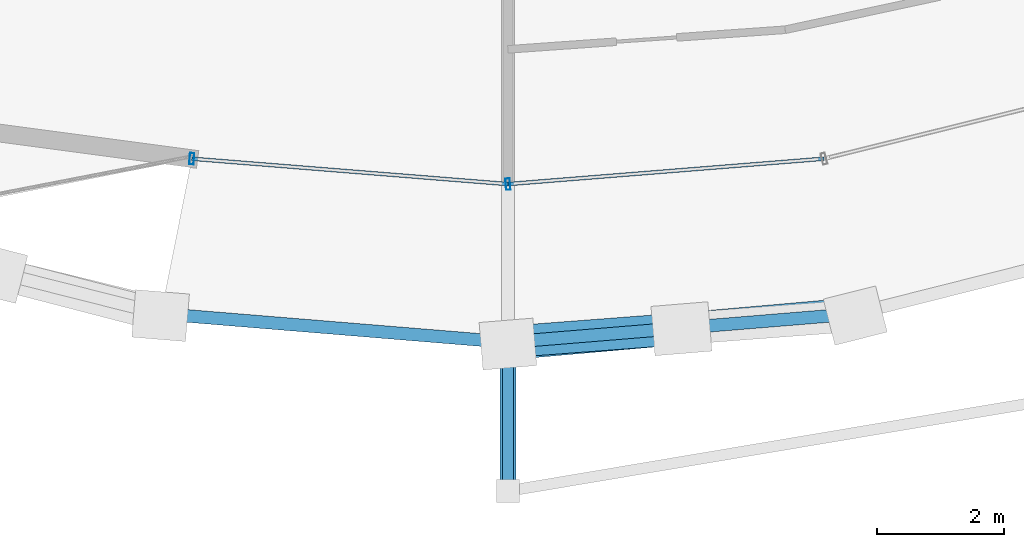
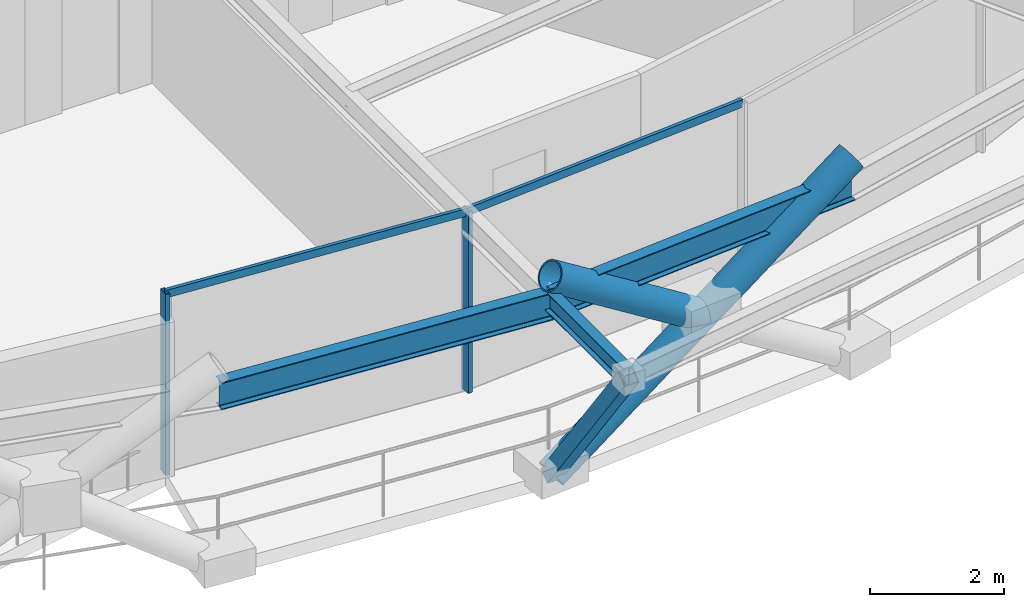
# One storey, part 2 of 20: 7 members, 3 beams, 1 element without a shape of its own.
"""IFC4 building model written with IfcOpenShell, lengths in metres."""

from ifc_helpers import new_model, si_unit, direction, frame, origin, origin_2d, place, context, subcontext, project, spatial, hollow_rectangle, hollow_circle, i_section, extrude, material, layer, layer_set, material_profile, profile_set, type_object, element, aggregate, save


model = new_model("IFC4")

# Units and contexts
model_context = context("Model", 3, precision=1e-05, world=origin(), true_north=direction((0.0, 1.0)))
body_context = subcontext(model_context, "Body", "Model", "MODEL_VIEW")
ifc_project = project(units=[si_unit("LENGTHUNIT", "METRE"), si_unit("AREAUNIT", "SQUARE_METRE"), si_unit("VOLUMEUNIT", "CUBIC_METRE"), si_unit("PLANEANGLEUNIT", "RADIAN"), si_unit("MASSUNIT", "GRAM", prefix="KILO")], contexts=[model_context])

# Site, building, storey
site_placement = place(None, origin())
site = spatial("IfcSite", under=ifc_project, at=site_placement, CompositionType="ELEMENT")
building_placement = place(site_placement, origin())
building = spatial("IfcBuilding", under=site, at=building_placement, Name="Veldorina Hangang Commons", CompositionType="ELEMENT")
storey_placement = place(building_placement, frame((0.0, 0.0, 171.199951171875)))
storey = spatial("IfcBuildingStorey", under=building, at=storey_placement, Name="L44", CompositionType="ELEMENT", Elevation=171.199951171875)

# Beams
ifc_material_1 = material(Name="Steel SM355-TMC", Category="steel")
ifc_material_profile_1 = material_profile(ifc_material_1, i_section(OverallWidth=0.175048828125, OverallDepth=0.35009765625, WebThickness=0.007080078125, FlangeThickness=0.010986328125, FilletRadius=0.012939453125, at=origin_2d()), Name="H-350x175x7x11")
ifc_profile_set_1 = profile_set([ifc_material_profile_1], Name="Steel SM355-TMC")
beam_type_1 = type_object("IfcBeamType", Name="BM-FG350", PredefinedType="BEAM", material=ifc_profile_set_1)
beam_placement = place(storey_placement, frame((32.0, 0.699951171875, 3.175048828125), z_axis=(0.0, -1.0, 0.0), x_axis=(1.0, 0.0, 0.0)))
element("IfcBeam", 1, at=beam_placement, inside=storey, type_object=beam_type_1, Name="L45 tree balcony 1 bracket beam A", PredefinedType="BEAM", context=body_context, shape_type="SweptSolid", body=[
    extrude(i_section(OverallWidth=0.175048828125, OverallDepth=0.35009765625, WebThickness=0.007080078125, FlangeThickness=0.010986328125, FilletRadius=0.012939453125, at=origin_2d()), origin(), (0.0, 0.0, 1.0), 2.349853515625),
])
ifc_material_2 = material(Name="Steel SM420-TMC", Category="steel")
ifc_material_profile_2 = material_profile(ifc_material_2, i_section(OverallWidth=0.199951171875, OverallDepth=0.5, WebThickness=0.010009765625, FlangeThickness=0.01611328125, FilletRadius=0.01611328125, at=origin_2d()), Name="H-500x200x10x16")
ifc_profile_set_2 = profile_set([ifc_material_profile_2], Name="Steel SM420-TMC")
beam_type_2 = type_object("IfcBeamType", Name="BM-RB500", PredefinedType="BEAM", material=ifc_profile_set_2)
for number, where, z_axis, x_axis, name in (
    (2, (26.5361328125, 1.14306640625, 3.10009765625), (0.996659066529, -0.08167438463, 0.0), (0.08167438463, 0.996659066529, 0.0), "L44 perimeter hoop ring beam 23"),
    (3, (32.0, 0.6953125, 3.10009765625), (0.996659066529, 0.08167438463, 0.0), (-0.08167438463, 0.996659066529, 0.0), "L44 perimeter hoop ring beam 24"),
):
    element("IfcBeam", number, at=place(storey_placement, frame(where, z_axis=z_axis, x_axis=x_axis)), inside=storey, type_object=beam_type_2, Name=name, PredefinedType="BEAM", context=body_context, shape_type="SweptSolid", body=[
        extrude(i_section(OverallWidth=0.199951171875, OverallDepth=0.5, WebThickness=0.010009765625, FlangeThickness=0.01611328125, FilletRadius=0.01611328125, at=origin_2d()), origin(), (0.0, 0.0, 1.0), 5.482177734375),
    ])

# Curtain wall, members
ifc_material_3 = material(Name="Glass Low-E Triple IGU", Category="glass")
ifc_layer = layer(ifc_material_3, 0.179931640625)
ifc_layer_set = layer_set([ifc_layer], Name="Glass Low-E Triple IGU")
curtain_wall_type = type_object("IfcCurtainWallType", Name="CW-SYS-Z2", PredefinedType="NOTDEFINED", material=ifc_layer_set)
curtain_wall_placement = place(storey_placement, origin())
curtain_wall = element("IfcCurtainWall", 4, at=curtain_wall_placement, inside=storey, type_object=curtain_wall_type, Name="L44 unitised curtain wall CW-L44-R1", PredefinedType="NOTDEFINED")
ifc_material_4 = material(Name="Aluminium Anodized AA6063-T6", Category="aluminium")
ifc_material_profile_3 = material_profile(ifc_material_4, hollow_rectangle(XDim=0.070068359375, YDim=0.179931640625, WallThickness=0.00390625, at=origin_2d()), Name="ALU-RHS-180x70x4")
ifc_profile_set_3 = profile_set([ifc_material_profile_3], Name="Aluminium Anodized AA6063-T6")
member_type_1 = type_object("IfcMemberType", Name="CW-MUL-180", PredefinedType="MULLION", material=ifc_profile_set_3)
member_1_placement = place(storey_placement, frame((27.019775390625, 3.58642578125, 0.0), z_axis=(0.0, 0.0, 1.0), x_axis=(0.996791463777, -0.08004234968, 0.0)))
member_1 = element("IfcMember", 5, at=member_1_placement, type_object=member_type_1, Name="CW-L44-R1 vertical mullion 1", PredefinedType="MULLION", context=body_context, shape_type="SweptSolid", body=[
    extrude(hollow_rectangle(XDim=0.070068359375, YDim=0.179931640625, WallThickness=0.00390625, at=origin_2d()), origin(), (0.0, 0.0, 1.0), 3.31005859375),
])
member_2_placement = place(storey_placement, frame((32.0, 3.1865234375, 0.0), z_axis=(0.0, 0.0, 1.0), x_axis=(0.996791463777, 0.08004234968, 0.0)))
member_2 = element("IfcMember", 6, at=member_2_placement, type_object=member_type_1, Name="CW-L44-R1 vertical mullion 2", PredefinedType="MULLION", context=body_context, shape_type="SweptSolid", body=[
    extrude(hollow_rectangle(XDim=0.070068359375, YDim=0.179931640625, WallThickness=0.00390625, at=origin_2d()), origin(), (0.0, 0.0, 1.0), 3.31005859375),
])
ifc_material_profile_4 = material_profile(ifc_material_4, hollow_rectangle(XDim=0.06005859375, YDim=0.139892578125, WallThickness=0.00341796875, at=origin_2d()), Name="ALU-RHS-140x60x3.5")
ifc_profile_set_4 = profile_set([ifc_material_profile_4], Name="Aluminium Anodized AA6063-T6")
member_type_2 = type_object("IfcMemberType", Name="CW-TRN-140", PredefinedType="USERDEFINED", material=ifc_profile_set_4)
member_3_placement = place(storey_placement, frame((27.019775390625, 3.58642578125, 3.27001953125), z_axis=(0.996791618165, -0.080040427009, 0.0), x_axis=(0.080040427009, 0.996791618165, 0.0)))
member_3 = element("IfcMember", 7, at=member_3_placement, type_object=member_type_2, Name="CW-L44-R1 facet 1 transom 1", ObjectType="TRANSOM", PredefinedType="USERDEFINED", context=body_context, shape_type="SweptSolid", body=[
    extrude(hollow_rectangle(XDim=0.06005859375, YDim=0.139892578125, WallThickness=0.00341796875, at=origin_2d()), origin(), (0.0, 0.0, 1.0), 4.996337890625),
])
member_4_placement = place(storey_placement, frame((32.0, 3.1865234375, 3.27001953125), z_axis=(0.996791618165, 0.080040427009, 0.0), x_axis=(-0.080040427009, 0.996791618165, 0.0)))
member_4 = element("IfcMember", 8, at=member_4_placement, type_object=member_type_2, Name="CW-L44-R1 facet 2 transom 1", ObjectType="TRANSOM", PredefinedType="USERDEFINED", context=body_context, shape_type="SweptSolid", body=[
    extrude(hollow_rectangle(XDim=0.06005859375, YDim=0.139892578125, WallThickness=0.00341796875, at=origin_2d()), origin(), (0.0, 0.0, 1.0), 4.996337890625),
])
aggregate(curtain_wall, [member_1, member_2, member_3, member_4])

# Members
ifc_material_profile_5 = material_profile(ifc_material_2, hollow_circle(Radius=0.25, WallThickness=0.02490234375, at=origin_2d()), Name="CHS-500x25")
ifc_profile_set_5 = profile_set([ifc_material_profile_5], Name="Steel SM420-TMC")
member_type_3 = type_object("IfcMemberType", Name="DG-CHS500", PredefinedType="BRACE", material=ifc_profile_set_5)
member_5_placement = place(storey_placement, frame((32.0, 0.66650390625, 0.0), z_axis=(0.832717176364, 0.073356822857, 0.548817711749), x_axis=(-0.087753478152, 0.996142222312, 0.0)))
element("IfcMember", 9, at=member_5_placement, inside=storey, type_object=member_type_3, Name="L44 continuous perimeter diagrid brace 24", PredefinedType="BRACE", context=body_context, shape_type="SweptSolid", body=[
    extrude(hollow_circle(Radius=0.25, WallThickness=0.02490234375, at=origin_2d()), origin(), (0.0, 0.0, 1.0), 6.559814453125),
])
member_6_placement = place(storey_placement, frame((34.733642578125, 0.9072265625, 1.801513671875), z_axis=(-0.833727220811, -0.063216433908, 0.548545899412), x_axis=(0.075606851131, -0.997137705667, 0.0)))
element("IfcMember", 10, at=member_6_placement, inside=storey, type_object=member_type_3, Name="L44 split perimeter diagrid upper brace 25", PredefinedType="BRACE", context=body_context, shape_type="SweptSolid", body=[
    extrude(hollow_circle(Radius=0.25, WallThickness=0.02490234375, at=origin_2d()), origin(), (0.0, 0.0, 1.0), 3.27880859375),
])
ifc_material_profile_6 = material_profile(ifc_material_1, hollow_rectangle(XDim=0.25, YDim=0.25, WallThickness=0.011962890625, at=origin_2d()), Name="SHS-250x250x12")
ifc_profile_set_6 = profile_set([ifc_material_profile_6], Name="Steel SM355-TMC")
member_type_4 = type_object("IfcMemberType", Name="STR-SHS250", PredefinedType="STRUT", material=ifc_profile_set_6)
member_7_placement = place(storey_placement, frame((32.0, 0.66650390625, 0.0), z_axis=(0.0, -0.589382520894, 0.807854098253), x_axis=(1.0, 0.0, 0.0)))
element("IfcMember", 11, at=member_7_placement, inside=storey, type_object=member_type_4, Name="L45 tree balcony 1 raking knee strut A", PredefinedType="STRUT", context=body_context, shape_type="SweptSolid", body=[
    extrude(hollow_rectangle(XDim=0.25, YDim=0.25, WallThickness=0.011962890625, at=origin_2d()), origin(), (0.0, 0.0, 1.0), 3.93017578125),
])

save(model, "model.ifc")
